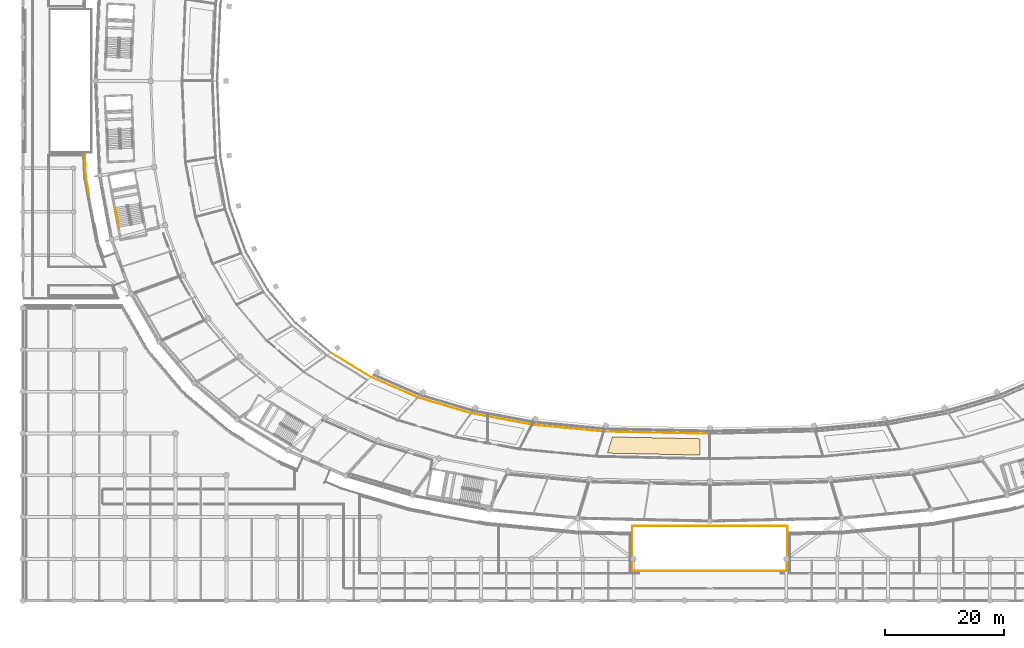
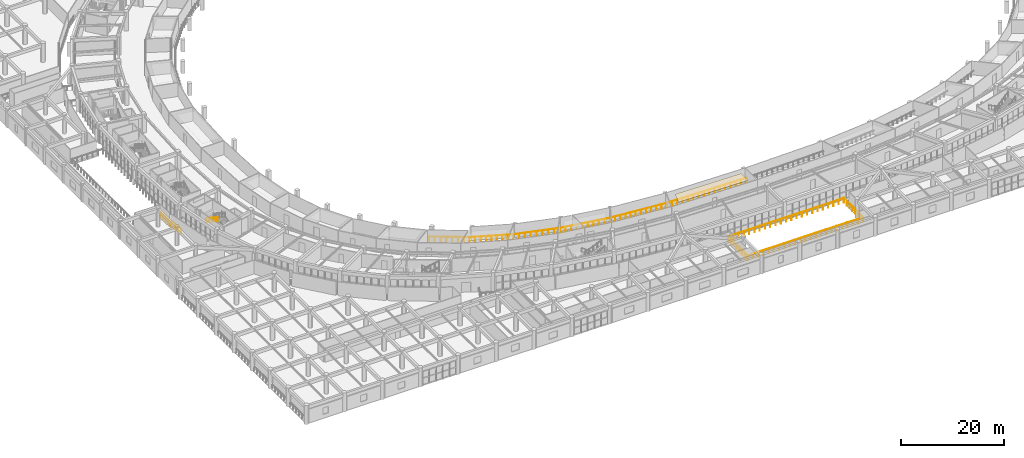
# One storey, part 119 of 141: 5 railings, 1 covering.
"""IFC4 building model written with IfcOpenShell, lengths in metres."""

from ifc_helpers import new_model, si_unit, direction, frame, origin, origin_2d, place, context, subcontext, project, spatial, polyline, circle, outline, extrude, material, layer, layer_set, type_object, element, save


model = new_model("IFC4")

# Units and contexts
model_context = context("Model", 3, precision=1e-05, world=origin(), true_north=direction((0.0, 1.0)))
body_context = subcontext(model_context, "Body", "Model", "MODEL_VIEW")
ifc_project = project(units=[si_unit("LENGTHUNIT", "METRE"), si_unit("AREAUNIT", "SQUARE_METRE"), si_unit("VOLUMEUNIT", "CUBIC_METRE"), si_unit("PLANEANGLEUNIT", "RADIAN"), si_unit("MASSUNIT", "GRAM", prefix="KILO")], contexts=[model_context])

# Site, building, storey
site_placement = place(None, origin())
site = spatial("IfcSite", under=ifc_project, at=site_placement, CompositionType="ELEMENT")
building_placement = place(site_placement, origin())
building = spatial("IfcBuilding", under=site, at=building_placement, Name="Mphavela Belvedere Stadium", CompositionType="ELEMENT")
storey_placement = place(building_placement, frame((0.0, 0.0, 14.699951171875)))
storey = spatial("IfcBuildingStorey", under=building, at=storey_placement, Name="L03", CompositionType="ELEMENT", Elevation=14.699951171875)

# Covering
ifc_material_1 = material(Name="Perforated acoustic mineral ceiling tile")
ifc_layer = layer(ifc_material_1, 0.0400390625)
ifc_layer_set = layer_set([ifc_layer], Name="Perforated acoustic mineral ceiling tile")
covering_type = type_object("IfcCoveringType", Name="COV-CEILING-ACOUSTIC", PredefinedType="CEILING", material=ifc_layer_set)
covering_placement = place(storey_placement, frame((0.0, 0.0, 3.199951171875)))
element("IfcCovering", 1, at=covering_placement, inside=storey, type_object=covering_type, Name="Concourse acoustic ceiling L03-36", PredefinedType="CEILING", context=body_context, shape_type="SweptSolid", body=[
    extrude(outline(polyline([(98.665771484375, 27.42041015625), (113.343994140625, 27.1044921875), (113.343994140625, 24.368896484375), (97.844482421875, 24.70263671875), (98.665771484375, 27.42041015625)])), origin(), (0.0, 0.0, 1.0), 0.0400390625),
])

# Railings
ifc_material_2 = material(Name="Bronze and laminated glass stadium balustrade", Category="glass")
railing_type_1 = type_object("IfcRailingType", Name="RAL-BALUSTRADE-1120", PredefinedType="BALUSTRADE", material=ifc_material_2)
railing_1_placement = place(storey_placement, frame((102.0, 5.0, 0.0)))
element("IfcRailing", 2, at=railing_1_placement, inside=storey, type_object=railing_type_1, Name="South Axial Triumphal Peristyle Portico court balustrade L03-A", PredefinedType="BALUSTRADE", context=body_context, shape_type="SweptSolid", body=[
    extrude(circle(Radius=0.02392578125, at=origin_2d()), frame((0.0, 0.0, 1.09619140625), z_axis=(1.0, 0.0, 0.0), x_axis=(0.0, 1.0, 0.0)), (0.0, 0.0, 1.0), 26.0),
    extrude(circle(Radius=0.02392578125, at=origin_2d()), frame((26.0, 0.0, 1.09619140625), z_axis=(0.0, 1.0, 0.0), x_axis=(-1.0, 0.0, 0.0)), (0.0, 0.0, 1.0), 7.419921875),
    extrude(circle(Radius=0.02099609375, at=origin_2d()), origin(), (0.0, 0.0, 1.0), 1.072021484375),
    extrude(circle(Radius=0.02099609375, at=origin_2d()), frame((1.181884765625, 0.0, 0.0)), (0.0, 0.0, 1.0), 1.072021484375),
    extrude(circle(Radius=0.02099609375, at=origin_2d()), frame((2.363525390625, 0.0, 0.0)), (0.0, 0.0, 1.0), 1.072021484375),
    extrude(circle(Radius=0.02099609375, at=origin_2d()), frame((3.54541015625, 0.0, 0.0)), (0.0, 0.0, 1.0), 1.072021484375),
    extrude(circle(Radius=0.02099609375, at=origin_2d()), frame((4.727294921875, 0.0, 0.0)), (0.0, 0.0, 1.0), 1.072021484375),
    extrude(circle(Radius=0.02099609375, at=origin_2d()), frame((5.9091796875, 0.0, 0.0)), (0.0, 0.0, 1.0), 1.072021484375),
    extrude(circle(Radius=0.02099609375, at=origin_2d()), frame((7.0908203125, 0.0, 0.0)), (0.0, 0.0, 1.0), 1.072021484375),
    extrude(circle(Radius=0.02099609375, at=origin_2d()), frame((8.272705078125, 0.0, 0.0)), (0.0, 0.0, 1.0), 1.072021484375),
    extrude(circle(Radius=0.02099609375, at=origin_2d()), frame((9.45458984375, 0.0, 0.0)), (0.0, 0.0, 1.0), 1.072021484375),
    extrude(circle(Radius=0.02099609375, at=origin_2d()), frame((10.636474609375, 0.0, 0.0)), (0.0, 0.0, 1.0), 1.072021484375),
    extrude(circle(Radius=0.02099609375, at=origin_2d()), frame((11.818115234375, 0.0, 0.0)), (0.0, 0.0, 1.0), 1.072021484375),
    extrude(circle(Radius=0.02099609375, at=origin_2d()), frame((13.0, 0.0, 0.0)), (0.0, 0.0, 1.0), 1.072021484375),
    extrude(circle(Radius=0.02099609375, at=origin_2d()), frame((14.181884765625, 0.0, 0.0)), (0.0, 0.0, 1.0), 1.072021484375),
    extrude(circle(Radius=0.02099609375, at=origin_2d()), frame((15.363525390625, 0.0, 0.0)), (0.0, 0.0, 1.0), 1.072021484375),
    extrude(circle(Radius=0.02099609375, at=origin_2d()), frame((16.54541015625, 0.0, 0.0)), (0.0, 0.0, 1.0), 1.072021484375),
    extrude(circle(Radius=0.02099609375, at=origin_2d()), frame((17.727294921875, 0.0, 0.0)), (0.0, 0.0, 1.0), 1.072021484375),
    extrude(circle(Radius=0.02099609375, at=origin_2d()), frame((18.9091796875, 0.0, 0.0)), (0.0, 0.0, 1.0), 1.072021484375),
    extrude(circle(Radius=0.02099609375, at=origin_2d()), frame((20.0908203125, 0.0, 0.0)), (0.0, 0.0, 1.0), 1.072021484375),
    extrude(circle(Radius=0.02099609375, at=origin_2d()), frame((21.272705078125, 0.0, 0.0)), (0.0, 0.0, 1.0), 1.072021484375),
    extrude(circle(Radius=0.02099609375, at=origin_2d()), frame((22.45458984375, 0.0, 0.0)), (0.0, 0.0, 1.0), 1.072021484375),
    extrude(circle(Radius=0.02099609375, at=origin_2d()), frame((23.636474609375, 0.0, 0.0)), (0.0, 0.0, 1.0), 1.072021484375),
    extrude(circle(Radius=0.02099609375, at=origin_2d()), frame((24.818115234375, 0.0, 0.0)), (0.0, 0.0, 1.0), 1.072021484375),
    extrude(circle(Radius=0.02099609375, at=origin_2d()), frame((26.0, 0.0, 0.0)), (0.0, 0.0, 1.0), 1.072021484375),
    extrude(circle(Radius=0.02099609375, at=origin_2d()), frame((26.0, 1.06005859375, 0.0)), (0.0, 0.0, 1.0), 1.072021484375),
    extrude(circle(Radius=0.02099609375, at=origin_2d()), frame((26.0, 2.119873046875, 0.0)), (0.0, 0.0, 1.0), 1.072021484375),
    extrude(circle(Radius=0.02099609375, at=origin_2d()), frame((26.0, 3.179931640625, 0.0)), (0.0, 0.0, 1.0), 1.072021484375),
    extrude(circle(Radius=0.02099609375, at=origin_2d()), frame((26.0, 4.239990234375, 0.0)), (0.0, 0.0, 1.0), 1.072021484375),
    extrude(circle(Radius=0.02099609375, at=origin_2d()), frame((26.0, 5.300048828125, 0.0)), (0.0, 0.0, 1.0), 1.072021484375),
    extrude(circle(Radius=0.02099609375, at=origin_2d()), frame((26.0, 6.35986328125, 0.0)), (0.0, 0.0, 1.0), 1.072021484375),
    extrude(circle(Radius=0.02099609375, at=origin_2d()), frame((26.0, 7.419921875, 0.0)), (0.0, 0.0, 1.0), 1.072021484375),
])
railing_2_placement = place(storey_placement, frame((128.0, 12.5, 0.0)))
element("IfcRailing", 3, at=railing_2_placement, inside=storey, type_object=railing_type_1, Name="South Axial Triumphal Peristyle Portico court balustrade L03-B", PredefinedType="BALUSTRADE", context=body_context, shape_type="SweptSolid", body=[
    extrude(circle(Radius=0.02392578125, at=origin_2d()), frame((0.0, 0.0, 1.09619140625), z_axis=(-1.0, 0.0, 0.0), x_axis=(0.0, -1.0, 0.0)), (0.0, 0.0, 1.0), 26.0),
    extrude(circle(Radius=0.02392578125, at=origin_2d()), frame((-26.0, 0.0, 1.09619140625), z_axis=(0.0, -1.0, 0.0), x_axis=(1.0, 0.0, 0.0)), (0.0, 0.0, 1.0), 7.419921875),
    extrude(circle(Radius=0.02099609375, at=origin_2d()), origin(), (0.0, 0.0, 1.0), 1.072021484375),
    extrude(circle(Radius=0.02099609375, at=origin_2d()), frame((-1.181884765625, 0.0, 0.0)), (0.0, 0.0, 1.0), 1.072021484375),
    extrude(circle(Radius=0.02099609375, at=origin_2d()), frame((-2.363525390625, 0.0, 0.0)), (0.0, 0.0, 1.0), 1.072021484375),
    extrude(circle(Radius=0.02099609375, at=origin_2d()), frame((-3.54541015625, 0.0, 0.0)), (0.0, 0.0, 1.0), 1.072021484375),
    extrude(circle(Radius=0.02099609375, at=origin_2d()), frame((-4.727294921875, 0.0, 0.0)), (0.0, 0.0, 1.0), 1.072021484375),
    extrude(circle(Radius=0.02099609375, at=origin_2d()), frame((-5.9091796875, 0.0, 0.0)), (0.0, 0.0, 1.0), 1.072021484375),
    extrude(circle(Radius=0.02099609375, at=origin_2d()), frame((-7.0908203125, 0.0, 0.0)), (0.0, 0.0, 1.0), 1.072021484375),
    extrude(circle(Radius=0.02099609375, at=origin_2d()), frame((-8.272705078125, 0.0, 0.0)), (0.0, 0.0, 1.0), 1.072021484375),
    extrude(circle(Radius=0.02099609375, at=origin_2d()), frame((-9.45458984375, 0.0, 0.0)), (0.0, 0.0, 1.0), 1.072021484375),
    extrude(circle(Radius=0.02099609375, at=origin_2d()), frame((-10.636474609375, 0.0, 0.0)), (0.0, 0.0, 1.0), 1.072021484375),
    extrude(circle(Radius=0.02099609375, at=origin_2d()), frame((-11.818115234375, 0.0, 0.0)), (0.0, 0.0, 1.0), 1.072021484375),
    extrude(circle(Radius=0.02099609375, at=origin_2d()), frame((-13.0, 0.0, 0.0)), (0.0, 0.0, 1.0), 1.072021484375),
    extrude(circle(Radius=0.02099609375, at=origin_2d()), frame((-14.181884765625, 0.0, 0.0)), (0.0, 0.0, 1.0), 1.072021484375),
    extrude(circle(Radius=0.02099609375, at=origin_2d()), frame((-15.363525390625, 0.0, 0.0)), (0.0, 0.0, 1.0), 1.072021484375),
    extrude(circle(Radius=0.02099609375, at=origin_2d()), frame((-16.54541015625, 0.0, 0.0)), (0.0, 0.0, 1.0), 1.072021484375),
    extrude(circle(Radius=0.02099609375, at=origin_2d()), frame((-17.727294921875, 0.0, 0.0)), (0.0, 0.0, 1.0), 1.072021484375),
    extrude(circle(Radius=0.02099609375, at=origin_2d()), frame((-18.9091796875, 0.0, 0.0)), (0.0, 0.0, 1.0), 1.072021484375),
    extrude(circle(Radius=0.02099609375, at=origin_2d()), frame((-20.0908203125, 0.0, 0.0)), (0.0, 0.0, 1.0), 1.072021484375),
    extrude(circle(Radius=0.02099609375, at=origin_2d()), frame((-21.272705078125, 0.0, 0.0)), (0.0, 0.0, 1.0), 1.072021484375),
    extrude(circle(Radius=0.02099609375, at=origin_2d()), frame((-22.45458984375, 0.0, 0.0)), (0.0, 0.0, 1.0), 1.072021484375),
    extrude(circle(Radius=0.02099609375, at=origin_2d()), frame((-23.636474609375, 0.0, 0.0)), (0.0, 0.0, 1.0), 1.072021484375),
    extrude(circle(Radius=0.02099609375, at=origin_2d()), frame((-24.818115234375, 0.0, 0.0)), (0.0, 0.0, 1.0), 1.072021484375),
    extrude(circle(Radius=0.02099609375, at=origin_2d()), frame((-26.0, 0.0, 0.0)), (0.0, 0.0, 1.0), 1.072021484375),
    extrude(circle(Radius=0.02099609375, at=origin_2d()), frame((-26.0, -1.06005859375, 0.0)), (0.0, 0.0, 1.0), 1.072021484375),
    extrude(circle(Radius=0.02099609375, at=origin_2d()), frame((-26.0, -2.119873046875, 0.0)), (0.0, 0.0, 1.0), 1.072021484375),
    extrude(circle(Radius=0.02099609375, at=origin_2d()), frame((-26.0, -3.179931640625, 0.0)), (0.0, 0.0, 1.0), 1.072021484375),
    extrude(circle(Radius=0.02099609375, at=origin_2d()), frame((-26.0, -4.239990234375, 0.0)), (0.0, 0.0, 1.0), 1.072021484375),
    extrude(circle(Radius=0.02099609375, at=origin_2d()), frame((-26.0, -5.300048828125, 0.0)), (0.0, 0.0, 1.0), 1.072021484375),
    extrude(circle(Radius=0.02099609375, at=origin_2d()), frame((-26.0, -6.35986328125, 0.0)), (0.0, 0.0, 1.0), 1.072021484375),
    extrude(circle(Radius=0.02099609375, at=origin_2d()), frame((-26.0, -7.419921875, 0.0)), (0.0, 0.0, 1.0), 1.072021484375),
])
railing_3_placement = place(storey_placement, frame((51.526123046875, 41.521484375, 0.0)))
element("IfcRailing", 4, at=railing_3_placement, inside=storey, type_object=railing_type_1, Name="Bowl safety balustrade l03_bowl S6", PredefinedType="BALUSTRADE", context=body_context, shape_type="SweptSolid", body=[
    extrude(circle(Radius=0.02392578125, at=origin_2d()), frame((0.0, 0.0, 1.09619140625), z_axis=(0.854316094817, -0.519753797617, 0.0), x_axis=(0.519753797617, 0.854316094817, 0.0)), (0.0, 0.0, 1.0), 7.940185546875),
    extrude(circle(Radius=0.02392578125, at=origin_2d()), frame((6.783447265625, -4.126953125, 1.09619140625), z_axis=(0.917499572249, -0.397736765869, 0.0), x_axis=(0.397736765869, 0.917499572249, 0.0)), (0.0, 0.0, 1.0), 8.529052734375),
    extrude(circle(Radius=0.02392578125, at=origin_2d()), frame((14.60888671875, -7.519287109375, 1.09619140625), z_axis=(0.958661836311, -0.284547858189, 0.0), x_axis=(0.284547858189, 0.958661836311, 0.0)), (0.0, 0.0, 1.0), 9.315185546875),
    extrude(circle(Radius=0.02392578125, at=origin_2d()), frame((23.5390625, -10.169921875, 1.09619140625), z_axis=(0.983095612922, -0.183092915902, 0.0), x_axis=(0.183092915902, 0.983095612922, 0.0)), (0.0, 0.0, 1.0), 10.382080078125),
    extrude(circle(Radius=0.02392578125, at=origin_2d()), frame((33.74560546875, -12.07080078125, 1.09619140625), z_axis=(0.995484264722, -0.09492670168, 0.0), x_axis=(0.09492670168, 0.995484264722, 0.0)), (0.0, 0.0, 1.0), 12.04931640625),
    extrude(circle(Radius=0.02392578125, at=origin_2d()), frame((45.740478515625, -13.214599609375, 1.09619140625), z_axis=(0.999768266575, -0.021527032999, 0.0), x_axis=(0.021527032999, 0.999768266575, 0.0)), (0.0, 0.0, 1.0), 17.737548828125),
    extrude(circle(Radius=0.02099609375, at=origin_2d()), origin(), (0.0, 0.0, 1.0), 1.072021484375),
    extrude(circle(Radius=0.02099609375, at=origin_2d()), frame((0.968994140625, -0.589599609375, 0.0)), (0.0, 0.0, 1.0), 1.072021484375),
    extrude(circle(Radius=0.02099609375, at=origin_2d()), frame((1.938232421875, -1.17919921875, 0.0)), (0.0, 0.0, 1.0), 1.072021484375),
    extrude(circle(Radius=0.02099609375, at=origin_2d()), frame((2.9072265625, -1.768798828125, 0.0)), (0.0, 0.0, 1.0), 1.072021484375),
    extrude(circle(Radius=0.02099609375, at=origin_2d()), frame((3.876220703125, -2.358154296875, 0.0)), (0.0, 0.0, 1.0), 1.072021484375),
    extrude(circle(Radius=0.02099609375, at=origin_2d()), frame((4.84521484375, -2.94775390625, 0.0)), (0.0, 0.0, 1.0), 1.072021484375),
    extrude(circle(Radius=0.02099609375, at=origin_2d()), frame((5.814453125, -3.537353515625, 0.0)), (0.0, 0.0, 1.0), 1.072021484375),
    extrude(circle(Radius=0.02099609375, at=origin_2d()), frame((6.783447265625, -4.126953125, 0.0)), (0.0, 0.0, 1.0), 1.072021484375),
    extrude(circle(Radius=0.02099609375, at=origin_2d()), frame((7.76171875, -4.551025390625, 0.0)), (0.0, 0.0, 1.0), 1.072021484375),
    extrude(circle(Radius=0.02099609375, at=origin_2d()), frame((8.73974609375, -4.97509765625, 0.0)), (0.0, 0.0, 1.0), 1.072021484375),
    extrude(circle(Radius=0.02099609375, at=origin_2d()), frame((9.718017578125, -5.399169921875, 0.0)), (0.0, 0.0, 1.0), 1.072021484375),
    extrude(circle(Radius=0.02099609375, at=origin_2d()), frame((10.6962890625, -5.8232421875, 0.0)), (0.0, 0.0, 1.0), 1.072021484375),
    extrude(circle(Radius=0.02099609375, at=origin_2d()), frame((11.67431640625, -6.2470703125, 0.0)), (0.0, 0.0, 1.0), 1.072021484375),
    extrude(circle(Radius=0.02099609375, at=origin_2d()), frame((12.652587890625, -6.671142578125, 0.0)), (0.0, 0.0, 1.0), 1.072021484375),
    extrude(circle(Radius=0.02099609375, at=origin_2d()), frame((13.630615234375, -7.09521484375, 0.0)), (0.0, 0.0, 1.0), 1.072021484375),
    extrude(circle(Radius=0.02099609375, at=origin_2d()), frame((14.60888671875, -7.519287109375, 0.0)), (0.0, 0.0, 1.0), 1.072021484375),
    extrude(circle(Radius=0.02099609375, at=origin_2d()), frame((15.72509765625, -7.8505859375, 0.0)), (0.0, 0.0, 1.0), 1.072021484375),
    extrude(circle(Radius=0.02099609375, at=origin_2d()), frame((16.84130859375, -8.181884765625, 0.0)), (0.0, 0.0, 1.0), 1.072021484375),
    extrude(circle(Radius=0.02099609375, at=origin_2d()), frame((17.957763671875, -8.51318359375, 0.0)), (0.0, 0.0, 1.0), 1.072021484375),
    extrude(circle(Radius=0.02099609375, at=origin_2d()), frame((19.073974609375, -8.8447265625, 0.0)), (0.0, 0.0, 1.0), 1.072021484375),
    extrude(circle(Radius=0.02099609375, at=origin_2d()), frame((20.190185546875, -9.176025390625, 0.0)), (0.0, 0.0, 1.0), 1.072021484375),
    extrude(circle(Radius=0.02099609375, at=origin_2d()), frame((21.306640625, -9.50732421875, 0.0)), (0.0, 0.0, 1.0), 1.072021484375),
    extrude(circle(Radius=0.02099609375, at=origin_2d()), frame((22.4228515625, -9.838623046875, 0.0)), (0.0, 0.0, 1.0), 1.072021484375),
    extrude(circle(Radius=0.02099609375, at=origin_2d()), frame((23.5390625, -10.169921875, 0.0)), (0.0, 0.0, 1.0), 1.072021484375),
    extrude(circle(Radius=0.02099609375, at=origin_2d()), frame((24.673095703125, -10.381103515625, 0.0)), (0.0, 0.0, 1.0), 1.072021484375),
    extrude(circle(Radius=0.02099609375, at=origin_2d()), frame((25.80712890625, -10.59228515625, 0.0)), (0.0, 0.0, 1.0), 1.072021484375),
    extrude(circle(Radius=0.02099609375, at=origin_2d()), frame((26.941162109375, -10.803466796875, 0.0)), (0.0, 0.0, 1.0), 1.072021484375),
    extrude(circle(Radius=0.02099609375, at=origin_2d()), frame((28.0751953125, -11.0146484375, 0.0)), (0.0, 0.0, 1.0), 1.072021484375),
    extrude(circle(Radius=0.02099609375, at=origin_2d()), frame((29.20947265625, -11.22607421875, 0.0)), (0.0, 0.0, 1.0), 1.072021484375),
    extrude(circle(Radius=0.02099609375, at=origin_2d()), frame((30.343505859375, -11.437255859375, 0.0)), (0.0, 0.0, 1.0), 1.072021484375),
    extrude(circle(Radius=0.02099609375, at=origin_2d()), frame((31.4775390625, -11.6484375, 0.0)), (0.0, 0.0, 1.0), 1.072021484375),
    extrude(circle(Radius=0.02099609375, at=origin_2d()), frame((32.611572265625, -11.859619140625, 0.0)), (0.0, 0.0, 1.0), 1.072021484375),
    extrude(circle(Radius=0.02099609375, at=origin_2d()), frame((33.74560546875, -12.07080078125, 0.0)), (0.0, 0.0, 1.0), 1.072021484375),
    extrude(circle(Radius=0.02099609375, at=origin_2d()), frame((34.8359375, -12.1748046875, 0.0)), (0.0, 0.0, 1.0), 1.072021484375),
    extrude(circle(Radius=0.02099609375, at=origin_2d()), frame((35.926513671875, -12.27880859375, 0.0)), (0.0, 0.0, 1.0), 1.072021484375),
    extrude(circle(Radius=0.02099609375, at=origin_2d()), frame((37.016845703125, -12.3828125, 0.0)), (0.0, 0.0, 1.0), 1.072021484375),
    extrude(circle(Radius=0.02099609375, at=origin_2d()), frame((38.107421875, -12.48681640625, 0.0)), (0.0, 0.0, 1.0), 1.072021484375),
    extrude(circle(Radius=0.02099609375, at=origin_2d()), frame((39.19775390625, -12.5908203125, 0.0)), (0.0, 0.0, 1.0), 1.072021484375),
    extrude(circle(Radius=0.02099609375, at=origin_2d()), frame((40.288330078125, -12.694580078125, 0.0)), (0.0, 0.0, 1.0), 1.072021484375),
    extrude(circle(Radius=0.02099609375, at=origin_2d()), frame((41.378662109375, -12.798583984375, 0.0)), (0.0, 0.0, 1.0), 1.072021484375),
    extrude(circle(Radius=0.02099609375, at=origin_2d()), frame((42.46923828125, -12.902587890625, 0.0)), (0.0, 0.0, 1.0), 1.072021484375),
    extrude(circle(Radius=0.02099609375, at=origin_2d()), frame((43.5595703125, -13.006591796875, 0.0)), (0.0, 0.0, 1.0), 1.072021484375),
    extrude(circle(Radius=0.02099609375, at=origin_2d()), frame((44.650146484375, -13.110595703125, 0.0)), (0.0, 0.0, 1.0), 1.072021484375),
    extrude(circle(Radius=0.02099609375, at=origin_2d()), frame((45.740478515625, -13.214599609375, 0.0)), (0.0, 0.0, 1.0), 1.072021484375),
    extrude(circle(Radius=0.02099609375, at=origin_2d()), frame((46.922607421875, -13.239990234375, 0.0)), (0.0, 0.0, 1.0), 1.072021484375),
    extrude(circle(Radius=0.02099609375, at=origin_2d()), frame((48.10498046875, -13.265625, 0.0)), (0.0, 0.0, 1.0), 1.072021484375),
    extrude(circle(Radius=0.02099609375, at=origin_2d()), frame((49.287109375, -13.291015625, 0.0)), (0.0, 0.0, 1.0), 1.072021484375),
    extrude(circle(Radius=0.02099609375, at=origin_2d()), frame((50.469482421875, -13.31640625, 0.0)), (0.0, 0.0, 1.0), 1.072021484375),
    extrude(circle(Radius=0.02099609375, at=origin_2d()), frame((51.651611328125, -13.341796875, 0.0)), (0.0, 0.0, 1.0), 1.072021484375),
    extrude(circle(Radius=0.02099609375, at=origin_2d()), frame((52.833740234375, -13.367431640625, 0.0)), (0.0, 0.0, 1.0), 1.072021484375),
    extrude(circle(Radius=0.02099609375, at=origin_2d()), frame((54.01611328125, -13.392822265625, 0.0)), (0.0, 0.0, 1.0), 1.072021484375),
    extrude(circle(Radius=0.02099609375, at=origin_2d()), frame((55.1982421875, -13.418212890625, 0.0)), (0.0, 0.0, 1.0), 1.072021484375),
    extrude(circle(Radius=0.02099609375, at=origin_2d()), frame((56.380615234375, -13.443603515625, 0.0)), (0.0, 0.0, 1.0), 1.072021484375),
    extrude(circle(Radius=0.02099609375, at=origin_2d()), frame((57.562744140625, -13.46923828125, 0.0)), (0.0, 0.0, 1.0), 1.072021484375),
    extrude(circle(Radius=0.02099609375, at=origin_2d()), frame((58.744873046875, -13.49462890625, 0.0)), (0.0, 0.0, 1.0), 1.072021484375),
    extrude(circle(Radius=0.02099609375, at=origin_2d()), frame((59.92724609375, -13.52001953125, 0.0)), (0.0, 0.0, 1.0), 1.072021484375),
    extrude(circle(Radius=0.02099609375, at=origin_2d()), frame((61.109375, -13.54541015625, 0.0)), (0.0, 0.0, 1.0), 1.072021484375),
    extrude(circle(Radius=0.02099609375, at=origin_2d()), frame((62.291748046875, -13.571044921875, 0.0)), (0.0, 0.0, 1.0), 1.072021484375),
    extrude(circle(Radius=0.02099609375, at=origin_2d()), frame((63.473876953125, -13.596435546875, 0.0)), (0.0, 0.0, 1.0), 1.072021484375),
])
railing_4_placement = place(storey_placement, frame((10.4130859375, 74.719970703125, 0.0)))
element("IfcRailing", 5, at=railing_4_placement, inside=storey, type_object=railing_type_1, Name="Peristyle wing gallery edge balustrade L03-56", PredefinedType="BALUSTRADE", context=body_context, shape_type="SweptSolid", body=[
    extrude(circle(Radius=0.02392578125, at=origin_2d()), frame((0.0, 0.0, 1.09619140625), z_axis=(0.041915584211, -0.999121155716, 0.0), x_axis=(0.999121155716, 0.041915584211, 0.0)), (0.0, 0.0, 1.0), 3.66943359375),
    extrude(circle(Radius=0.02392578125, at=origin_2d()), frame((0.15380859375, -3.666259765625, 1.09619140625), z_axis=(0.113134174083, -0.993579719325, 0.0), x_axis=(0.993579719325, 0.113134174083, 0.0)), (0.0, 0.0, 1.0), 0.317138671875),
    extrude(circle(Radius=0.02392578125, at=origin_2d()), frame((0.189697265625, -3.9814453125, 1.09619140625), z_axis=(0.182689544832, -0.983170651621, 0.0), x_axis=(0.983170651621, 0.182689544832, 0.0)), (0.0, 0.0, 1.0), 2.83984375),
    extrude(circle(Radius=0.02099609375, at=origin_2d()), origin(), (0.0, 0.0, 1.0), 1.072021484375),
    extrude(circle(Radius=0.02099609375, at=origin_2d()), frame((0.03857421875, -0.91650390625, 0.0)), (0.0, 0.0, 1.0), 1.072021484375),
    extrude(circle(Radius=0.02099609375, at=origin_2d()), frame((0.076904296875, -1.8330078125, 0.0)), (0.0, 0.0, 1.0), 1.072021484375),
    extrude(circle(Radius=0.02099609375, at=origin_2d()), frame((0.115234375, -2.749755859375, 0.0)), (0.0, 0.0, 1.0), 1.072021484375),
    extrude(circle(Radius=0.02099609375, at=origin_2d()), frame((0.15380859375, -3.666259765625, 0.0)), (0.0, 0.0, 1.0), 1.072021484375),
    extrude(circle(Radius=0.02099609375, at=origin_2d()), frame((0.189697265625, -3.9814453125, 0.0)), (0.0, 0.0, 1.0), 1.072021484375),
    extrude(circle(Radius=0.02099609375, at=origin_2d()), frame((0.362548828125, -4.912109375, 0.0)), (0.0, 0.0, 1.0), 1.072021484375),
    extrude(circle(Radius=0.02099609375, at=origin_2d()), frame((0.53564453125, -5.8427734375, 0.0)), (0.0, 0.0, 1.0), 1.072021484375),
    extrude(circle(Radius=0.02099609375, at=origin_2d()), frame((0.70849609375, -6.7734375, 0.0)), (0.0, 0.0, 1.0), 1.072021484375),
])
ifc_material_3 = material(Name="Brushed stainless steel tubular handrail", Category="steel")
railing_type_2 = type_object("IfcRailingType", Name="RAL-HANDRAIL-900", PredefinedType="HANDRAIL", material=ifc_material_3)
railing_5_placement = place(storey_placement, frame((15.52978515625, 65.781494140625, 2.4375)))
element("IfcRailing", 6, at=railing_5_placement, inside=storey, type_object=railing_type_2, Name="L03 ST-C09 stair handrail 2", PredefinedType="HANDRAIL", context=body_context, shape_type="SweptSolid", body=[
    extrude(circle(Radius=0.02392578125, at=origin_2d()), frame((0.0, 0.0, 0.8759765625), z_axis=(0.155156569333, -0.835285547097, 0.527469898481), x_axis=(0.983181950141, 0.182628729713, 0.0)), (0.0, 0.0, 1.0), 3.91015625),
    extrude(circle(Radius=0.02099609375, at=origin_2d()), origin(), (0.0, 0.0, 1.0), 0.851806640625),
    extrude(circle(Radius=0.02099609375, at=origin_2d()), frame((0.151611328125, -0.81640625, 0.515625)), (0.0, 0.0, 1.0), 0.851806640625),
    extrude(circle(Radius=0.02099609375, at=origin_2d()), frame((0.30322265625, -1.633056640625, 1.03125)), (0.0, 0.0, 1.0), 0.851806640625),
    extrude(circle(Radius=0.02099609375, at=origin_2d()), frame((0.455078125, -2.44970703125, 1.546875)), (0.0, 0.0, 1.0), 0.851806640625),
    extrude(circle(Radius=0.02099609375, at=origin_2d()), frame((0.606689453125, -3.26611328125, 2.0625)), (0.0, 0.0, 1.0), 0.851806640625),
])

save(model, "model.ifc")
